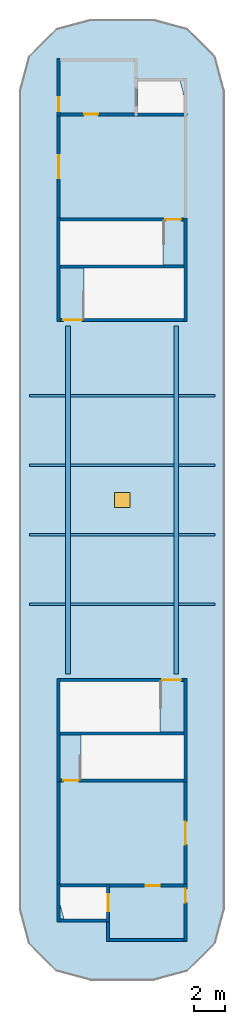
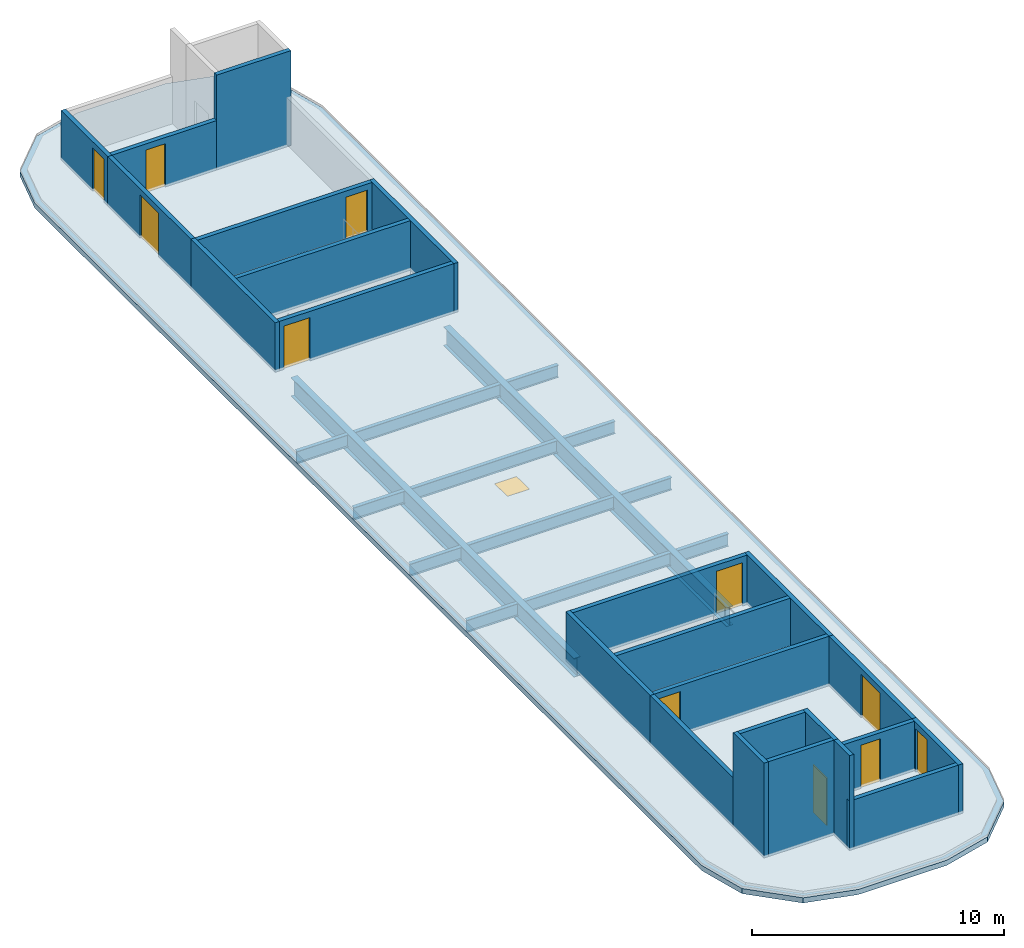
"""IFC4 building model written with IfcOpenShell, lengths in metres."""

from ifc_helpers import new_model, si_unit, direction, frame, frame_2d, origin, origin_2d, place, context, subcontext, project, spatial, polyline, rectangle, i_section, outline, extrude, material, layer, layer_set, material_profile, profile_set, type_object, element, fill, save


model = new_model("IFC4")

# Units and contexts
model_context = context("Model", 3, precision=1e-05, world=origin(), true_north=direction((0.0, 1.0)))
body_context = subcontext(model_context, "Body", "Model", "MODEL_VIEW")
ifc_project = project(units=[si_unit("LENGTHUNIT", "METRE"), si_unit("AREAUNIT", "SQUARE_METRE"), si_unit("VOLUMEUNIT", "CUBIC_METRE"), si_unit("PLANEANGLEUNIT", "RADIAN"), si_unit("MASSUNIT", "GRAM", prefix="KILO")], contexts=[model_context])

# Site, building, storey
site_placement = place(None, origin())
site = spatial("IfcSite", under=ifc_project, at=site_placement, CompositionType="ELEMENT")
building_placement = place(site_placement, origin())
building = spatial("IfcBuilding", under=site, at=building_placement, Name="Zarbagh Exchange Tower", CompositionType="ELEMENT")
storey_1_placement = place(building_placement, frame((0.0, 0.0, 320.39990234375)))
storey_1 = spatial("IfcBuildingStorey", under=building, at=storey_1_placement, Name="Roof", CompositionType="ELEMENT", Elevation=320.39990234375)

# Beams
ifc_material_1 = material(Name="Steel ASTM A992 Gr 50", Category="steel")
ifc_material_profile_1 = material_profile(ifc_material_1, i_section(OverallWidth=0.1787109375, OverallDepth=0.60205078125, WebThickness=0.010986328125, FlangeThickness=0.014892578125, at=origin_2d()), Name="W24X62")
ifc_profile_set_1 = profile_set([ifc_material_profile_1], Name="Steel ASTM A992 Gr 50")
beam_type_1 = type_object("IfcBeamType", Name="Floor beam W24X62", PredefinedType="BEAM", material=ifc_profile_set_1)
for number, where, z_axis, x_axis, name in (
    (1, (-3.34765625, -6.75, -0.55078125), (1.0, 0.0, 0.0), (0.0, 1.0, 0.0), "Steel floor beam"),
    (2, (-3.34765625, -2.25, -0.55078125), (1.0, 0.0, 0.0), (0.0, 1.0, 0.0), "Steel floor beam"),
    (3, (-3.34765625, 2.25, -0.55078125), (1.0, 0.0, 0.0), (0.0, 1.0, 0.0), "Steel floor beam"),
    (4, (-3.34765625, 6.75, -0.55078125), (1.0, 0.0, 0.0), (0.0, 1.0, 0.0), "Steel floor beam"),
):
    element("IfcBeam", number, at=place(storey_1_placement, frame(where, z_axis=z_axis, x_axis=x_axis)), inside=storey_1, type_object=beam_type_1, Name=name, PredefinedType="BEAM", context=body_context, shape_type="SweptSolid", body=[
        extrude(i_section(OverallWidth=0.1787109375, OverallDepth=0.60205078125, WebThickness=0.010986328125, FlangeThickness=0.014892578125, at=origin_2d()), origin(), (0.0, 0.0, 1.0), 6.6953125),
    ])
ifc_material_profile_2 = material_profile(ifc_material_1, i_section(OverallWidth=0.3046875, OverallDepth=0.91943359375, WebThickness=0.017333984375, FlangeThickness=0.02783203125, at=origin_2d()), Name="W36X170")
ifc_profile_set_2 = profile_set([ifc_material_profile_2], Name="Steel ASTM A992 Gr 50")
beam_type_2 = type_object("IfcBeamType", Name="Floor girder W36X170", PredefinedType="BEAM", material=ifc_profile_set_2)
for number, where, z_axis, x_axis, name in (
    (5, (-3.5, -11.25, -0.709716796875), (0.0, 1.0, 0.0), (-1.0, 0.0, 0.0), "Steel girder"),
    (6, (3.5, -11.25, -0.709716796875), (0.0, 1.0, 0.0), (-1.0, 0.0, 0.0), "Steel girder"),
):
    element("IfcBeam", number, at=place(storey_1_placement, frame(where, z_axis=z_axis, x_axis=x_axis)), inside=storey_1, type_object=beam_type_2, Name=name, PredefinedType="BEAM", context=body_context, shape_type="SweptSolid", body=[
        extrude(i_section(OverallWidth=0.3046875, OverallDepth=0.91943359375, WebThickness=0.017333984375, FlangeThickness=0.02783203125, at=origin_2d()), origin(), (0.0, 0.0, 1.0), 22.5),
    ])
ifc_material_profile_3 = material_profile(ifc_material_1, i_section(OverallWidth=0.1787109375, OverallDepth=0.60205078125, WebThickness=0.010986328125, FlangeThickness=0.014892578125, at=origin_2d()), Name="W24X62")
ifc_profile_set_3 = profile_set([ifc_material_profile_3], Name="Steel ASTM A992 Gr 50")
beam_type_3 = type_object("IfcBeamType", Name="Roof overhang beam W24X62", PredefinedType="BEAM", material=ifc_profile_set_3)
for number, where, z_axis, x_axis, name in (
    (7, (-3.65234375, -6.75, -0.55078125), (-1.0, 0.0, 0.0), (0.0, -1.0, 0.0), "Steel roof overhang beam"),
    (8, (3.65234375, -6.75, -0.55078125), (1.0, 0.0, 0.0), (0.0, 1.0, 0.0), "Steel roof overhang beam"),
    (9, (-3.65234375, -2.25, -0.55078125), (-1.0, 0.0, 0.0), (0.0, -1.0, 0.0), "Steel roof overhang beam"),
    (10, (3.65234375, -2.25, -0.55078125), (1.0, 0.0, 0.0), (0.0, 1.0, 0.0), "Steel roof overhang beam"),
    (11, (-3.65234375, 2.25, -0.55078125), (-1.0, 0.0, 0.0), (0.0, -1.0, 0.0), "Steel roof overhang beam"),
    (12, (3.65234375, 2.25, -0.55078125), (1.0, 0.0, 0.0), (0.0, 1.0, 0.0), "Steel roof overhang beam"),
    (13, (-3.65234375, 6.75, -0.55078125), (-1.0, 0.0, 0.0), (0.0, -1.0, 0.0), "Steel roof overhang beam"),
    (14, (3.65234375, 6.75, -0.55078125), (1.0, 0.0, 0.0), (0.0, 1.0, 0.0), "Steel roof overhang beam"),
):
    element("IfcBeam", number, at=place(storey_1_placement, frame(where, z_axis=z_axis, x_axis=x_axis)), inside=storey_1, type_object=beam_type_3, Name=name, PredefinedType="BEAM", context=body_context, shape_type="SweptSolid", body=[
        extrude(i_section(OverallWidth=0.1787109375, OverallDepth=0.60205078125, WebThickness=0.010986328125, FlangeThickness=0.014892578125, at=origin_2d()), origin(), (0.0, 0.0, 1.0), 2.34765625),
    ])

# Slab, opening
ifc_material_2 = material(Name="Concrete C40/50", Category="concrete")
ifc_layer_1 = layer(ifc_material_2, 0.25)
ifc_layer_set_1 = layer_set([ifc_layer_1], Name="Crown roof slab 250 C40/50")
slab_type = type_object("IfcSlabType", Name="Crown roof slab 250 C40/50", PredefinedType="ROOF", material=ifc_layer_set_1)
slab_placement = place(storey_1_placement, frame((0.0, 0.0, -0.25)))
slab = element("IfcSlab", 15, at=slab_placement, inside=storey_1, type_object=slab_type, Name="S12 crown roof slab", PredefinedType="ROOF", context=body_context, shape_type="SweptSolid", body=[
    extrude(outline(polyline([(-2.037109375, -31.050048828125), (-4.231689453125, -30.4619140625), (-6.011962890625, -28.681640625), (-6.60009765625, -26.487060546875), (-6.60009765625, 26.487060546875), (-6.011962890625, 28.681640625), (-4.231689453125, 30.4619140625), (-2.037109375, 31.050048828125), (2.037109375, 31.050048828125), (4.231689453125, 30.4619140625), (6.011962890625, 28.681640625), (6.60009765625, 26.487060546875), (6.60009765625, -26.487060546875), (6.011962890625, -28.681640625), (4.231689453125, -30.4619140625), (2.037109375, -31.050048828125), (-2.037109375, -31.050048828125)]), holes=[polyline([(-1.0, -27.10009765625), (-1.0, -25.050048828125), (-4.0, -25.050048828125), (-4.0, -26.18408203125), (-3.754638671875, -27.10009765625), (-1.0, -27.10009765625)]), polyline([(4.0, -15.199951171875), (-2.64990234375, -15.199951171875), (-2.64990234375, -18.050048828125), (4.0, -18.050048828125), (4.0, -15.199951171875)]), polyline([(-4.0, -15.0), (2.449951171875, -15.0), (2.449951171875, -11.75), (-4.0, -11.75), (-4.0, -15.0)]), polyline([(-2.449951171875, 15.0), (-2.449951171875, 11.75), (4.0, 11.75), (4.0, 15.0), (-2.449951171875, 15.0)]), polyline([(-4.0, 15.199951171875), (2.64990234375, 15.199951171875), (2.64990234375, 18.050048828125), (-4.0, 18.050048828125), (-4.0, 15.199951171875)]), polyline([(3.754638671875, 27.10009765625), (1.0, 27.10009765625), (1.0, 25.050048828125), (4.0, 25.050048828125), (4.0, 26.18408203125), (3.754638671875, 27.10009765625)])]), origin(), (0.0, 0.0, 1.0), 0.25),
])
opening_1_placement = place(slab_placement, origin())
opening_1 = element("IfcOpeningElement", 16, at=opening_1_placement, cuts=slab, Name="Opening RH01", PredefinedType="OPENING", context=body_context, shape_type="SweptSolid", body=[
    extrude(rectangle(XDim=1.0, YDim=1.0, at=origin_2d()), frame((0.0, 0.0, -0.010009765625)), (0.0, 0.0, 1.0), 0.27001953125),
])

# Storey
storey_2_placement = place(building_placement, frame((0.0, 0.0, 316.800048828125)))
storey_2 = spatial("IfcBuildingStorey", under=building, at=storey_2_placement, Name="L78", CompositionType="ELEMENT", Elevation=316.800048828125)

# Window
ifc_material_3 = material(Name="Aluminium", Category="aluminium")
window_type = type_object("IfcWindowType", Name="Roof access hatch, insulated aluminium", PartitioningType="SINGLE_PANEL", PredefinedType="SKYLIGHT", material=ifc_material_3)
window_placement = place(opening_1_placement, frame((0.0, 0.0, 0.199951171875)))
window = element("IfcWindow", 17, at=window_placement, inside=storey_2, type_object=window_type, Name="RH01 roof access hatch", OverallHeight=1.0, OverallWidth=1.0, PartitioningType="SINGLE_PANEL", PredefinedType="SKYLIGHT", context=body_context, shape_type="SweptSolid", body=[
    extrude(rectangle(XDim=1.0, YDim=1.0, at=origin_2d()), origin(), (0.0, 0.0, 1.0), 0.050048828125),
])

fill(opening_1, window)

# Walls
ifc_material_4 = material(Name="Dense blockwork", Category="masonry")
ifc_layer_2 = layer(ifc_material_4, 0.199951171875)
ifc_layer_set_2 = layer_set([ifc_layer_2], Name="Shaft wall 200 mm blockwork")
wall_type_1 = type_object("IfcWallType", Name="Shaft wall 200 mm blockwork", PredefinedType="PARTITIONING", material=ifc_layer_set_2)
wall_1_placement = place(storey_1_placement, frame((-0.89990234375, -28.550048828125, 0.0), z_axis=(0.0, 0.0, 1.0), x_axis=(0.0, 1.0, 0.0)))
element("IfcWall", 18, at=wall_1_placement, inside=storey_1, type_object=wall_type_1, Name="South core roof lift lobby wall LE", PredefinedType="PARTITIONING", context=body_context, shape_type="SweptSolid", body=[
    extrude(rectangle(XDim=1.25, YDim=0.199951171875, at=frame_2d((0.625, 0.0))), origin(), (0.0, 0.0, 1.0), 4.60009765625),
])
ifc_layer_3 = layer(ifc_material_2, 0.199951171875)
ifc_layer_set_3 = layer_set([ifc_layer_3], Name="Stair enclosure wall 200 mm RC C40/50")
wall_type_2 = type_object("IfcWallType", Name="Stair enclosure wall 200 mm RC C40/50", PredefinedType="SHEAR", material=ifc_layer_set_3)
wall_2_placement = place(storey_1_placement, frame((0.800048828125, 24.949951171875, 0.0), z_axis=(0.0, 0.0, 1.0), x_axis=(1.0, 0.0, 0.0)))
element("IfcWall", 19, at=wall_2_placement, inside=storey_1, type_object=wall_type_2, Name="North core lift overrun housing wall I", PredefinedType="SHEAR", context=body_context, shape_type="SweptSolid", body=[
    extrude(rectangle(XDim=3.39990234375, YDim=0.199951171875, at=frame_2d((1.699951171875, 0.0))), origin(), (0.0, 0.0, 1.0), 4.60009765625),
])

# Wall, opening, door
wall_3_placement = place(storey_1_placement, frame((-4.10009765625, 28.550048828125, 0.0), z_axis=(0.0, 0.0, 1.0), x_axis=(0.0, -1.0, 0.0)))
wall_3 = element("IfcWall", 20, at=wall_3_placement, inside=storey_1, type_object=wall_type_2, Name="North core roof lift lobby wall LW", PredefinedType="SHEAR", context=body_context, shape_type="SweptSolid", body=[
    extrude(rectangle(XDim=3.699951171875, YDim=0.199951171875, at=frame_2d((1.85009765625, 0.0))), origin(), (0.0, 0.0, 1.0), 2.400146484375),
])
opening_2_placement = place(wall_3_placement, frame((2.5, 0.0, 0.0)))
opening_2 = element("IfcOpeningElement", 21, at=opening_2_placement, cuts=wall_3, Name="Opening CD2-900", PredefinedType="OPENING", context=body_context, shape_type="SweptSolid", body=[
    extrude(rectangle(XDim=0.89990234375, YDim=2.10009765625, at=frame_2d((0.449951171875, 1.050048828125))), frame((0.0, 0.10986328125, 0.0), z_axis=(0.0, -1.0, 0.0), x_axis=(1.0, 0.0, 0.0)), (0.0, 0.0, 1.0), 0.219970703125),
])
ifc_material_5 = material(Name="Steel", Category="steel")
door_type_1 = type_object("IfcDoorType", Name="Firefighting lobby door 900 x 2100", OperationType="NOTDEFINED", PredefinedType="DOOR", material=ifc_material_5)
door_1_placement = place(opening_2_placement, origin())
door_1 = element("IfcDoor", 22, at=door_1_placement, inside=storey_1, type_object=door_type_1, Name="North core roof lift lobby door", OperationType="SINGLE_SWING_LEFT", OverallHeight=2.10009765625, OverallWidth=0.89990234375, PredefinedType="DOOR", context=body_context, shape_type="SweptSolid", body=[
    extrude(rectangle(XDim=0.89990234375, YDim=2.10009765625, at=frame_2d((0.449951171875, 1.050048828125))), frame((0.0, 0.02490234375, 0.0), z_axis=(0.0, -1.0, 0.0), x_axis=(1.0, 0.0, 0.0)), (0.0, 0.0, 1.0), 0.050048828125),
])
fill(opening_2, door_1)

wall_4_placement = place(storey_1_placement, frame((-4.199951171875, 24.949951171875, 0.0), z_axis=(0.0, 0.0, 1.0), x_axis=(1.0, 0.0, 0.0)))
wall_4 = element("IfcWall", 23, at=wall_4_placement, inside=storey_1, type_object=wall_type_2, Name="North core roof lift lobby wall LS", PredefinedType="SHEAR", context=body_context, shape_type="SweptSolid", body=[
    extrude(rectangle(XDim=5.0, YDim=0.199951171875, at=frame_2d((2.5, 0.0))), origin(), (0.0, 0.0, 1.0), 2.400146484375),
])
opening_3_placement = place(wall_4_placement, frame((1.75, 0.0, 0.0)))
opening_3 = element("IfcOpeningElement", 24, at=opening_3_placement, cuts=wall_4, Name="Opening CD3-900-01", PredefinedType="OPENING", context=body_context, shape_type="SweptSolid", body=[
    extrude(rectangle(XDim=0.89990234375, YDim=2.10009765625, at=frame_2d((0.449951171875, 1.050048828125))), frame((0.0, 0.10986328125, 0.0), z_axis=(0.0, -1.0, 0.0), x_axis=(1.0, 0.0, 0.0)), (0.0, 0.0, 1.0), 0.219970703125),
])
door_type_2 = type_object("IfcDoorType", Name="Core room door 900 x 2100", OperationType="NOTDEFINED", PredefinedType="DOOR", material=ifc_material_5)
door_2_placement = place(opening_3_placement, origin())
door_2 = element("IfcDoor", 25, at=door_2_placement, inside=storey_1, type_object=door_type_2, Name="North core roof lobby to roof corridor door", OperationType="SINGLE_SWING_RIGHT", OverallHeight=2.10009765625, OverallWidth=0.89990234375, PredefinedType="DOOR", context=body_context, shape_type="SweptSolid", body=[
    extrude(rectangle(XDim=0.89990234375, YDim=2.10009765625, at=frame_2d((0.449951171875, 1.050048828125))), frame((0.0, 0.02490234375, 0.0), z_axis=(0.0, -1.0, 0.0), x_axis=(1.0, 0.0, 0.0)), (0.0, 0.0, 1.0), 0.050048828125),
])
fill(opening_3, door_2)

wall_5_placement = place(storey_1_placement, frame((-4.10009765625, 24.85009765625, 0.0), z_axis=(0.0, 0.0, 1.0), x_axis=(0.0, -1.0, 0.0)))
wall_5 = element("IfcWall", 26, at=wall_5_placement, inside=storey_1, type_object=wall_type_2, Name="North core roof corridor wall PW", PredefinedType="SHEAR", context=body_context, shape_type="SweptSolid", body=[
    extrude(rectangle(XDim=6.60009765625, YDim=0.199951171875, at=frame_2d((3.300048828125, 0.0))), origin(), (0.0, 0.0, 1.0), 2.400146484375),
])
opening_4_placement = place(wall_5_placement, frame((2.550048828125, 0.0, 0.0)))
opening_4 = element("IfcOpeningElement", 27, at=opening_4_placement, cuts=wall_5, Name="Opening CD1-1500-01", PredefinedType="OPENING", context=body_context, shape_type="SweptSolid", body=[
    extrude(rectangle(XDim=1.5, YDim=2.10009765625, at=frame_2d((0.75, 1.050048828125))), frame((0.0, 0.10986328125, 0.0), z_axis=(0.0, -1.0, 0.0), x_axis=(1.0, 0.0, 0.0)), (0.0, 0.0, 1.0), 0.219970703125),
])
door_type_3 = type_object("IfcDoorType", Name="Lift lobby double door 1500 x 2100", OperationType="NOTDEFINED", PredefinedType="DOOR", material=ifc_material_5)
door_3_placement = place(opening_4_placement, origin())
door_3 = element("IfcDoor", 28, at=door_3_placement, inside=storey_1, type_object=door_type_3, Name="North core roof corridor door to the roof", OperationType="SINGLE_SWING_RIGHT", OverallHeight=2.10009765625, OverallWidth=1.5, PredefinedType="DOOR", context=body_context, shape_type="SweptSolid", body=[
    extrude(rectangle(XDim=1.5, YDim=2.10009765625, at=frame_2d((0.75, 1.050048828125))), frame((0.0, 0.02490234375, 0.0), z_axis=(0.0, -1.0, 0.0), x_axis=(1.0, 0.0, 0.0)), (0.0, 0.0, 1.0), 0.050048828125),
])
fill(opening_4, door_3)

wall_6_placement = place(storey_1_placement, frame((-0.89990234375, -27.300048828125, 0.0), z_axis=(0.0, 0.0, 1.0), x_axis=(0.0, 1.0, 0.0)))
wall_6 = element("IfcWall", 29, at=wall_6_placement, inside=storey_1, type_object=wall_type_2, Name="South core lift overrun housing wall L", PredefinedType="SHEAR", context=body_context, shape_type="SweptSolid", body=[
    extrude(rectangle(XDim=2.449951171875, YDim=0.199951171875, at=frame_2d((1.22509765625, 0.0))), origin(), (0.0, 0.0, 1.0), 4.60009765625),
])
opening_5_placement = place(wall_6_placement, frame((0.699951171875, 0.0, 0.0)))
opening_5 = element("IfcOpeningElement", 30, at=opening_5_placement, cuts=wall_6, Name="Opening LD-1100", PredefinedType="OPENING", context=body_context, shape_type="SweptSolid", body=[
    extrude(rectangle(XDim=1.10009765625, YDim=2.300048828125, at=frame_2d((0.550048828125, 1.14990234375))), frame((0.0, 0.10986328125, 0.0), z_axis=(0.0, -1.0, 0.0), x_axis=(1.0, 0.0, 0.0)), (0.0, 0.0, 1.0), 0.219970703125),
])
ifc_material_6 = material(Name="Stainless steel", Category="steel")
door_type_4 = type_object("IfcDoorType", Name="Lift landing door 1100 x 2300", OperationType="NOTDEFINED", PredefinedType="DOOR", material=ifc_material_6)
door_4_placement = place(opening_5_placement, origin())
door_4 = element("IfcDoor", 31, at=door_4_placement, inside=storey_1, type_object=door_type_4, Name="South core lift landing door LD-F", OperationType="DOUBLE_DOOR_SLIDING", OverallHeight=2.300048828125, OverallWidth=1.10009765625, PredefinedType="DOOR", context=body_context, shape_type="SweptSolid", body=[
    extrude(rectangle(XDim=1.10009765625, YDim=2.300048828125, at=frame_2d((0.550048828125, 1.14990234375))), frame((0.0, 0.02490234375, 0.0), z_axis=(0.0, -1.0, 0.0), x_axis=(1.0, 0.0, 0.0)), (0.0, 0.0, 1.0), 0.050048828125),
])
fill(opening_5, door_4)

# Walls
wall_7_placement = place(storey_1_placement, frame((-4.10009765625, -27.300048828125, 0.0), z_axis=(0.0, 0.0, 1.0), x_axis=(0.0, 1.0, 0.0)))
element("IfcWall", 32, at=wall_7_placement, inside=storey_1, type_object=wall_type_2, Name="South core lift overrun housing wall O", PredefinedType="SHEAR", context=body_context, shape_type="SweptSolid", body=[
    extrude(rectangle(XDim=2.449951171875, YDim=0.199951171875, at=frame_2d((1.22509765625, 0.0))), origin(), (0.0, 0.0, 1.0), 4.60009765625),
])
for number, where, z_axis, x_axis, name in (
    (33, (-0.800048828125, -27.199951171875, 0.0), (0.0, 0.0, 1.0), (-1.0, 0.0, 0.0), "South core lift overrun housing wall T"),
    (34, (-0.800048828125, -24.949951171875, 0.0), (0.0, 0.0, 1.0), (-1.0, 0.0, 0.0), "South core lift overrun housing wall I"),
):
    element("IfcWall", number, at=place(storey_1_placement, frame(where, z_axis=z_axis, x_axis=x_axis)), inside=storey_1, type_object=wall_type_2, Name=name, PredefinedType="SHEAR", context=body_context, shape_type="SweptSolid", body=[
        extrude(rectangle(XDim=3.39990234375, YDim=0.199951171875, at=frame_2d((1.699951171875, 0.0))), origin(), (0.0, 0.0, 1.0), 4.60009765625),
    ])

# Wall, opening, door
wall_8_placement = place(storey_1_placement, frame((4.10009765625, -28.550048828125, 0.0), z_axis=(0.0, 0.0, 1.0), x_axis=(0.0, 1.0, 0.0)))
wall_8 = element("IfcWall", 35, at=wall_8_placement, inside=storey_1, type_object=wall_type_2, Name="South core roof lift lobby wall LW", PredefinedType="SHEAR", context=body_context, shape_type="SweptSolid", body=[
    extrude(rectangle(XDim=3.699951171875, YDim=0.199951171875, at=frame_2d((1.85009765625, 0.0))), origin(), (0.0, 0.0, 1.0), 2.400146484375),
])
opening_6_placement = place(wall_8_placement, frame((2.5, 0.0, 0.0)))
opening_6 = element("IfcOpeningElement", 36, at=opening_6_placement, cuts=wall_8, Name="Opening CD2-900", PredefinedType="OPENING", context=body_context, shape_type="SweptSolid", body=[
    extrude(rectangle(XDim=0.89990234375, YDim=2.10009765625, at=frame_2d((0.449951171875, 1.050048828125))), frame((0.0, 0.10986328125, 0.0), z_axis=(0.0, -1.0, 0.0), x_axis=(1.0, 0.0, 0.0)), (0.0, 0.0, 1.0), 0.219970703125),
])
door_5_placement = place(opening_6_placement, origin())
door_5 = element("IfcDoor", 37, at=door_5_placement, inside=storey_1, type_object=door_type_1, Name="South core roof lift lobby door", OperationType="SINGLE_SWING_LEFT", OverallHeight=2.10009765625, OverallWidth=0.89990234375, PredefinedType="DOOR", context=body_context, shape_type="SweptSolid", body=[
    extrude(rectangle(XDim=0.89990234375, YDim=2.10009765625, at=frame_2d((0.449951171875, 1.050048828125))), frame((0.0, 0.02490234375, 0.0), z_axis=(0.0, -1.0, 0.0), x_axis=(1.0, 0.0, 0.0)), (0.0, 0.0, 1.0), 0.050048828125),
])
fill(opening_6, door_5)

# Wall
wall_9_placement = place(storey_1_placement, frame((4.199951171875, -28.449951171875, 0.0), z_axis=(0.0, 0.0, 1.0), x_axis=(-1.0, 0.0, 0.0)))
element("IfcWall", 38, at=wall_9_placement, inside=storey_1, type_object=wall_type_2, Name="South core roof lift lobby wall LT", PredefinedType="SHEAR", context=body_context, shape_type="SweptSolid", body=[
    extrude(rectangle(XDim=5.199951171875, YDim=0.199951171875, at=frame_2d((2.60009765625, 0.0))), origin(), (0.0, 0.0, 1.0), 2.400146484375),
])

# Wall, opening, door
wall_10_placement = place(storey_1_placement, frame((4.199951171875, -24.949951171875, 0.0), z_axis=(0.0, 0.0, 1.0), x_axis=(-1.0, 0.0, 0.0)))
wall_10 = element("IfcWall", 39, at=wall_10_placement, inside=storey_1, type_object=wall_type_2, Name="South core roof lift lobby wall LS", PredefinedType="SHEAR", context=body_context, shape_type="SweptSolid", body=[
    extrude(rectangle(XDim=5.0, YDim=0.199951171875, at=frame_2d((2.5, 0.0))), origin(), (0.0, 0.0, 1.0), 2.400146484375),
])
opening_7_placement = place(wall_10_placement, frame((1.75, 0.0, 0.0)))
opening_7 = element("IfcOpeningElement", 40, at=opening_7_placement, cuts=wall_10, Name="Opening CD3-900-01", PredefinedType="OPENING", context=body_context, shape_type="SweptSolid", body=[
    extrude(rectangle(XDim=0.89990234375, YDim=2.10009765625, at=frame_2d((0.449951171875, 1.050048828125))), frame((0.0, 0.10986328125, 0.0), z_axis=(0.0, -1.0, 0.0), x_axis=(1.0, 0.0, 0.0)), (0.0, 0.0, 1.0), 0.219970703125),
])
door_6_placement = place(opening_7_placement, origin())
door_6 = element("IfcDoor", 41, at=door_6_placement, inside=storey_1, type_object=door_type_2, Name="South core roof lobby to roof corridor door", OperationType="SINGLE_SWING_RIGHT", OverallHeight=2.10009765625, OverallWidth=0.89990234375, PredefinedType="DOOR", context=body_context, shape_type="SweptSolid", body=[
    extrude(rectangle(XDim=0.89990234375, YDim=2.10009765625, at=frame_2d((0.449951171875, 1.050048828125))), frame((0.0, 0.02490234375, 0.0), z_axis=(0.0, -1.0, 0.0), x_axis=(1.0, 0.0, 0.0)), (0.0, 0.0, 1.0), 0.050048828125),
])
fill(opening_7, door_6)

wall_11_placement = place(storey_1_placement, frame((4.10009765625, -24.85009765625, 0.0), z_axis=(0.0, 0.0, 1.0), x_axis=(0.0, 1.0, 0.0)))
wall_11 = element("IfcWall", 42, at=wall_11_placement, inside=storey_1, type_object=wall_type_2, Name="South core roof corridor wall PW", PredefinedType="SHEAR", context=body_context, shape_type="SweptSolid", body=[
    extrude(rectangle(XDim=6.60009765625, YDim=0.199951171875, at=frame_2d((3.300048828125, 0.0))), origin(), (0.0, 0.0, 1.0), 2.400146484375),
])
opening_8_placement = place(wall_11_placement, frame((2.550048828125, 0.0, 0.0)))
opening_8 = element("IfcOpeningElement", 43, at=opening_8_placement, cuts=wall_11, Name="Opening CD1-1500-01", PredefinedType="OPENING", context=body_context, shape_type="SweptSolid", body=[
    extrude(rectangle(XDim=1.5, YDim=2.10009765625, at=frame_2d((0.75, 1.050048828125))), frame((0.0, 0.10986328125, 0.0), z_axis=(0.0, -1.0, 0.0), x_axis=(1.0, 0.0, 0.0)), (0.0, 0.0, 1.0), 0.219970703125),
])
door_7_placement = place(opening_8_placement, origin())
door_7 = element("IfcDoor", 44, at=door_7_placement, inside=storey_1, type_object=door_type_3, Name="South core roof corridor door to the roof", OperationType="SINGLE_SWING_RIGHT", OverallHeight=2.10009765625, OverallWidth=1.5, PredefinedType="DOOR", context=body_context, shape_type="SweptSolid", body=[
    extrude(rectangle(XDim=1.5, YDim=2.10009765625, at=frame_2d((0.75, 1.050048828125))), frame((0.0, 0.02490234375, 0.0), z_axis=(0.0, -1.0, 0.0), x_axis=(1.0, 0.0, 0.0)), (0.0, 0.0, 1.0), 0.050048828125),
])
fill(opening_8, door_7)

# Walls
wall_12_placement = place(storey_1_placement, frame((-4.10009765625, -24.85009765625, 0.0), z_axis=(0.0, 0.0, 1.0), x_axis=(0.0, 1.0, 0.0)))
element("IfcWall", 45, at=wall_12_placement, inside=storey_1, type_object=wall_type_2, Name="South core roof corridor wall PE", PredefinedType="SHEAR", context=body_context, shape_type="SweptSolid", body=[
    extrude(rectangle(XDim=6.60009765625, YDim=0.199951171875, at=frame_2d((3.300048828125, 0.0))), origin(), (0.0, 0.0, 1.0), 2.400146484375),
])
for number, where, z_axis, x_axis, name in (
    (46, (-4.10009765625, 18.25, 0.0), (0.0, 0.0, 1.0), (0.0, -1.0, 0.0), "North core stair head-house wall W"),
    (47, (4.10009765625, 18.25, 0.0), (0.0, 0.0, 1.0), (0.0, -1.0, 0.0), "North core stair head-house wall E"),
):
    element("IfcWall", number, at=place(storey_1_placement, frame(where, z_axis=z_axis, x_axis=x_axis)), inside=storey_1, type_object=wall_type_2, Name=name, PredefinedType="SHEAR", context=body_context, shape_type="SweptSolid", body=[
        extrude(rectangle(XDim=6.699951171875, YDim=0.199951171875, at=frame_2d((3.35009765625, 0.0))), origin(), (0.0, 0.0, 1.0), 2.400146484375),
    ])

# Wall, opening, door
wall_13_placement = place(storey_1_placement, frame((-4.199951171875, 18.14990234375, 0.0), z_axis=(0.0, 0.0, 1.0), x_axis=(1.0, 0.0, 0.0)))
wall_13 = element("IfcWall", 48, at=wall_13_placement, inside=storey_1, type_object=wall_type_2, Name="North core stair head-house wall N", PredefinedType="SHEAR", context=body_context, shape_type="SweptSolid", body=[
    extrude(rectangle(XDim=8.39990234375, YDim=0.199951171875, at=frame_2d((4.199951171875, 0.0))), origin(), (0.0, 0.0, 1.0), 2.400146484375),
])
opening_9_placement = place(wall_13_placement, frame((7.0, 0.0, 0.0)))
opening_9 = element("IfcOpeningElement", 49, at=opening_9_placement, cuts=wall_13, Name="Opening SD1-1000", PredefinedType="OPENING", context=body_context, shape_type="SweptSolid", body=[
    extrude(rectangle(XDim=1.0, YDim=2.10009765625, at=frame_2d((0.5, 1.050048828125))), frame((0.0, 0.10986328125, 0.0), z_axis=(0.0, -1.0, 0.0), x_axis=(1.0, 0.0, 0.0)), (0.0, 0.0, 1.0), 0.219970703125),
])
door_type_5 = type_object("IfcDoorType", Name="Exit stair door 1000 x 2100", OperationType="NOTDEFINED", PredefinedType="DOOR", material=ifc_material_5)
door_8_placement = place(opening_9_placement, origin())
door_8 = element("IfcDoor", 50, at=door_8_placement, inside=storey_1, type_object=door_type_5, Name="North core stair head-house door ST1", OperationType="SINGLE_SWING_RIGHT", OverallHeight=2.10009765625, OverallWidth=1.0, PredefinedType="DOOR", context=body_context, shape_type="SweptSolid", body=[
    extrude(rectangle(XDim=1.0, YDim=2.10009765625, at=frame_2d((0.5, 1.050048828125))), frame((0.0, 0.02490234375, 0.0), z_axis=(0.0, -1.0, 0.0), x_axis=(1.0, 0.0, 0.0)), (0.0, 0.0, 1.0), 0.050048828125),
])
fill(opening_9, door_8)

wall_14_placement = place(storey_1_placement, frame((-4.199951171875, 11.64990234375, 0.0), z_axis=(0.0, 0.0, 1.0), x_axis=(1.0, 0.0, 0.0)))
wall_14 = element("IfcWall", 51, at=wall_14_placement, inside=storey_1, type_object=wall_type_2, Name="North core stair head-house wall S", PredefinedType="SHEAR", context=body_context, shape_type="SweptSolid", body=[
    extrude(rectangle(XDim=8.39990234375, YDim=0.199951171875, at=frame_2d((4.199951171875, 0.0))), origin(), (0.0, 0.0, 1.0), 2.400146484375),
])
opening_10_placement = place(wall_14_placement, frame((0.39990234375, 0.0, 0.0)))
opening_10 = element("IfcOpeningElement", 52, at=opening_10_placement, cuts=wall_14, Name="Opening SD1-1200", PredefinedType="OPENING", context=body_context, shape_type="SweptSolid", body=[
    extrude(rectangle(XDim=1.199951171875, YDim=2.10009765625, at=frame_2d((0.60009765625, 1.050048828125))), frame((0.0, 0.10986328125, 0.0), z_axis=(0.0, -1.0, 0.0), x_axis=(1.0, 0.0, 0.0)), (0.0, 0.0, 1.0), 0.219970703125),
])
door_type_6 = type_object("IfcDoorType", Name="Exit stair door 1200 x 2100", OperationType="NOTDEFINED", PredefinedType="DOOR", material=ifc_material_5)
door_9_placement = place(opening_10_placement, origin())
door_9 = element("IfcDoor", 53, at=door_9_placement, inside=storey_1, type_object=door_type_6, Name="North core stair head-house door ST2", OperationType="SINGLE_SWING_LEFT", OverallHeight=2.10009765625, OverallWidth=1.199951171875, PredefinedType="DOOR", context=body_context, shape_type="SweptSolid", body=[
    extrude(rectangle(XDim=1.199951171875, YDim=2.10009765625, at=frame_2d((0.60009765625, 1.050048828125))), frame((0.0, 0.02490234375, 0.0), z_axis=(0.0, -1.0, 0.0), x_axis=(1.0, 0.0, 0.0)), (0.0, 0.0, 1.0), 0.050048828125),
])
fill(opening_10, door_9)

# Walls
wall_15_placement = place(storey_1_placement, frame((-4.0, 15.10009765625, 0.0), z_axis=(0.0, 0.0, 1.0), x_axis=(1.0, 0.0, 0.0)))
element("IfcWall", 54, at=wall_15_placement, inside=storey_1, type_object=wall_type_2, Name="North core stair head-house wall M", PredefinedType="SHEAR", context=body_context, shape_type="SweptSolid", body=[
    extrude(rectangle(XDim=8.0, YDim=0.199951171875, at=frame_2d((4.0, 0.0))), origin(), (0.0, 0.0, 1.0), 2.400146484375),
])
for number, where, z_axis, x_axis, name in (
    (55, (4.10009765625, -18.25, 0.0), (0.0, 0.0, 1.0), (0.0, 1.0, 0.0), "South core stair head-house wall W"),
    (56, (-4.10009765625, -18.25, 0.0), (0.0, 0.0, 1.0), (0.0, 1.0, 0.0), "South core stair head-house wall E"),
):
    element("IfcWall", number, at=place(storey_1_placement, frame(where, z_axis=z_axis, x_axis=x_axis)), inside=storey_1, type_object=wall_type_2, Name=name, PredefinedType="SHEAR", context=body_context, shape_type="SweptSolid", body=[
        extrude(rectangle(XDim=6.699951171875, YDim=0.199951171875, at=frame_2d((3.35009765625, 0.0))), origin(), (0.0, 0.0, 1.0), 2.400146484375),
    ])

# Wall, opening, door
wall_16_placement = place(storey_1_placement, frame((4.199951171875, -18.14990234375, 0.0), z_axis=(0.0, 0.0, 1.0), x_axis=(-1.0, 0.0, 0.0)))
wall_16 = element("IfcWall", 57, at=wall_16_placement, inside=storey_1, type_object=wall_type_2, Name="South core stair head-house wall N", PredefinedType="SHEAR", context=body_context, shape_type="SweptSolid", body=[
    extrude(rectangle(XDim=8.39990234375, YDim=0.199951171875, at=frame_2d((4.199951171875, 0.0))), origin(), (0.0, 0.0, 1.0), 2.400146484375),
])
opening_11_placement = place(wall_16_placement, frame((7.0, 0.0, 0.0)))
opening_11 = element("IfcOpeningElement", 58, at=opening_11_placement, cuts=wall_16, Name="Opening SD1-1000", PredefinedType="OPENING", context=body_context, shape_type="SweptSolid", body=[
    extrude(rectangle(XDim=1.0, YDim=2.10009765625, at=frame_2d((0.5, 1.050048828125))), frame((0.0, 0.10986328125, 0.0), z_axis=(0.0, -1.0, 0.0), x_axis=(1.0, 0.0, 0.0)), (0.0, 0.0, 1.0), 0.219970703125),
])
door_10_placement = place(opening_11_placement, origin())
door_10 = element("IfcDoor", 59, at=door_10_placement, inside=storey_1, type_object=door_type_5, Name="South core stair head-house door ST3", OperationType="SINGLE_SWING_RIGHT", OverallHeight=2.10009765625, OverallWidth=1.0, PredefinedType="DOOR", context=body_context, shape_type="SweptSolid", body=[
    extrude(rectangle(XDim=1.0, YDim=2.10009765625, at=frame_2d((0.5, 1.050048828125))), frame((0.0, 0.02490234375, 0.0), z_axis=(0.0, -1.0, 0.0), x_axis=(1.0, 0.0, 0.0)), (0.0, 0.0, 1.0), 0.050048828125),
])
fill(opening_11, door_10)

wall_17_placement = place(storey_1_placement, frame((4.199951171875, -11.64990234375, 0.0), z_axis=(0.0, 0.0, 1.0), x_axis=(-1.0, 0.0, 0.0)))
wall_17 = element("IfcWall", 60, at=wall_17_placement, inside=storey_1, type_object=wall_type_2, Name="South core stair head-house wall S", PredefinedType="SHEAR", context=body_context, shape_type="SweptSolid", body=[
    extrude(rectangle(XDim=8.39990234375, YDim=0.199951171875, at=frame_2d((4.199951171875, 0.0))), origin(), (0.0, 0.0, 1.0), 2.400146484375),
])
opening_12_placement = place(wall_17_placement, frame((0.39990234375, 0.0, 0.0)))
opening_12 = element("IfcOpeningElement", 61, at=opening_12_placement, cuts=wall_17, Name="Opening SD1-1200", PredefinedType="OPENING", context=body_context, shape_type="SweptSolid", body=[
    extrude(rectangle(XDim=1.199951171875, YDim=2.10009765625, at=frame_2d((0.60009765625, 1.050048828125))), frame((0.0, 0.10986328125, 0.0), z_axis=(0.0, -1.0, 0.0), x_axis=(1.0, 0.0, 0.0)), (0.0, 0.0, 1.0), 0.219970703125),
])
door_11_placement = place(opening_12_placement, origin())
door_11 = element("IfcDoor", 62, at=door_11_placement, inside=storey_1, type_object=door_type_6, Name="South core stair head-house door ST4", OperationType="SINGLE_SWING_LEFT", OverallHeight=2.10009765625, OverallWidth=1.199951171875, PredefinedType="DOOR", context=body_context, shape_type="SweptSolid", body=[
    extrude(rectangle(XDim=1.199951171875, YDim=2.10009765625, at=frame_2d((0.60009765625, 1.050048828125))), frame((0.0, 0.02490234375, 0.0), z_axis=(0.0, -1.0, 0.0), x_axis=(1.0, 0.0, 0.0)), (0.0, 0.0, 1.0), 0.050048828125),
])
fill(opening_12, door_11)

# Wall
wall_18_placement = place(storey_1_placement, frame((4.0, -15.10009765625, 0.0), z_axis=(0.0, 0.0, 1.0), x_axis=(-1.0, 0.0, 0.0)))
element("IfcWall", 63, at=wall_18_placement, inside=storey_1, type_object=wall_type_2, Name="South core stair head-house wall M", PredefinedType="SHEAR", context=body_context, shape_type="SweptSolid", body=[
    extrude(rectangle(XDim=8.0, YDim=0.199951171875, at=frame_2d((4.0, 0.0))), origin(), (0.0, 0.0, 1.0), 2.400146484375),
])

save(model, "model.ifc")
